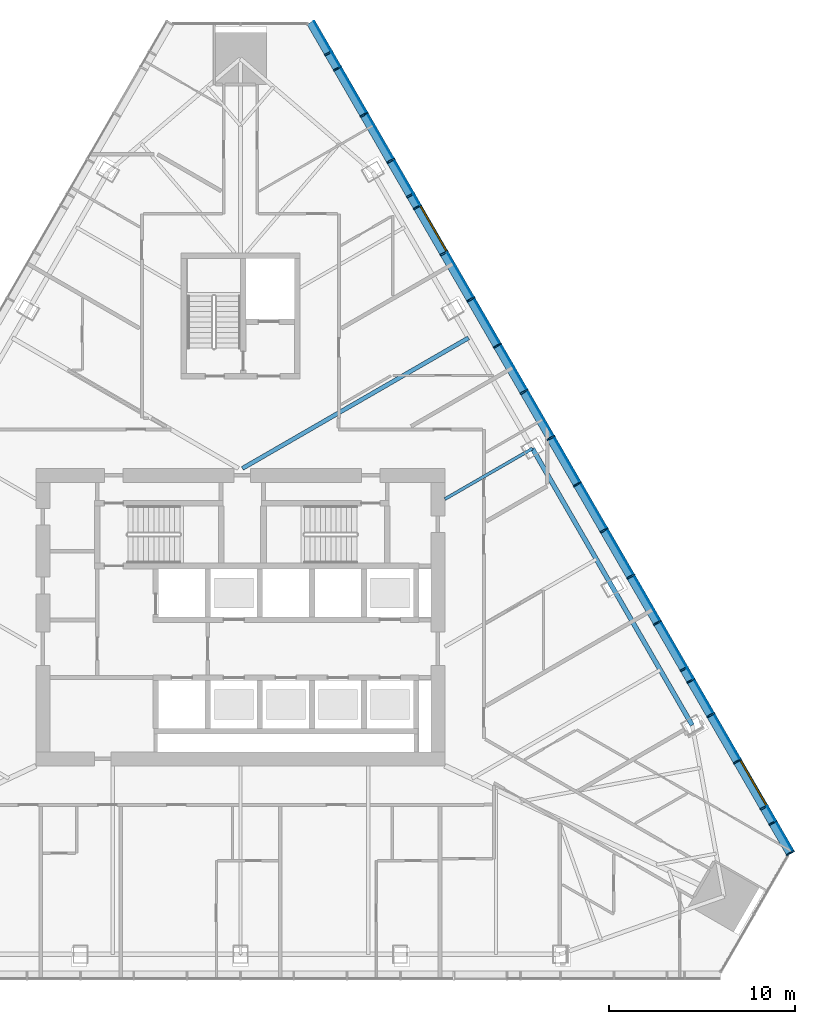
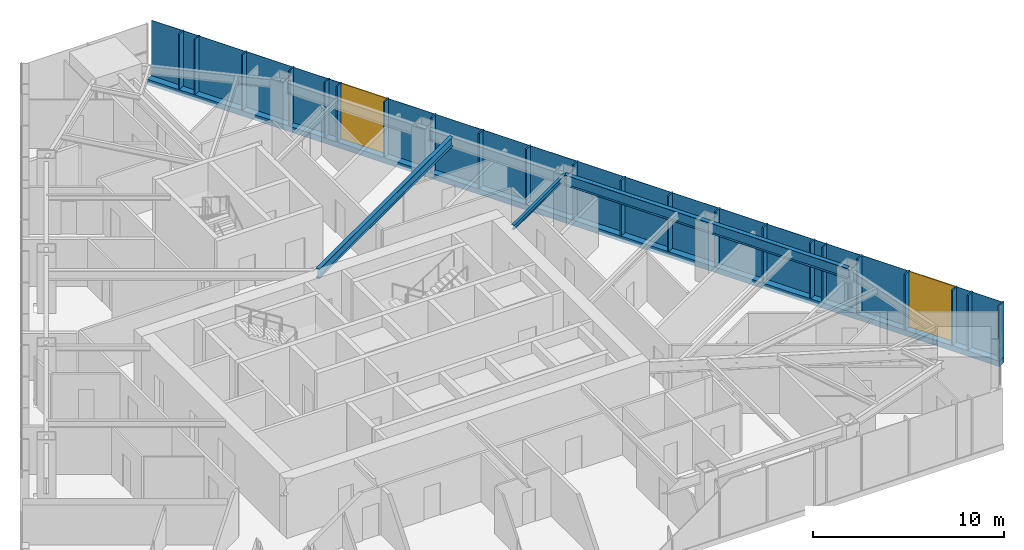
# One storey, part 6 of 16: 23 members, 20 plates, 3 beams, 2 windows, 2 openings, 1 element without a shape of its own.
"""IFC4 building model written with IfcOpenShell, lengths in metres."""

from ifc_helpers import new_model, si_unit, direction, frame, frame_2d, origin, origin_2d, place, context, subcontext, project, spatial, polyline, rectangle, i_section, outline, extrude, material, layer, layer_set, material_profile, profile_set, type_object, element, fill, aggregate, save


model = new_model("IFC4")

# Units and contexts
model_context = context("Model", 3, precision=1e-05, world=origin(), true_north=direction((0.0, 1.0)))
body_context = subcontext(model_context, "Body", "Model", "MODEL_VIEW")
ifc_project = project(units=[si_unit("LENGTHUNIT", "METRE"), si_unit("AREAUNIT", "SQUARE_METRE"), si_unit("VOLUMEUNIT", "CUBIC_METRE"), si_unit("PLANEANGLEUNIT", "RADIAN"), si_unit("MASSUNIT", "GRAM", prefix="KILO")], contexts=[model_context])

# Site, building, storey
site_placement = place(None, origin())
site = spatial("IfcSite", under=ifc_project, at=site_placement, CompositionType="ELEMENT")
building_placement = place(site_placement, origin())
building = spatial("IfcBuilding", under=site, at=building_placement, Name="Firuza Gate Tower and Library", CompositionType="ELEMENT")
storey_placement = place(building_placement, frame((0.0, 0.0, 198.699951171875)))
storey = spatial("IfcBuildingStorey", under=building, at=storey_placement, Name="L46", CompositionType="ELEMENT", Elevation=198.699951171875)

# Curtain wall, openings, members
ifc_material_1 = material(Name="Aluminium 6063-T6", Category="aluminium")
ifc_layer_1 = layer(ifc_material_1, 0.14990234375)
ifc_layer_set_1 = layer_set([ifc_layer_1], Name="Unitised curtain wall, hotel")
curtain_wall_type = type_object("IfcCurtainWallType", Name="Unitised curtain wall, hotel", PredefinedType="NOTDEFINED", material=ifc_layer_set_1)
curtain_wall_placement = place(storey_placement, origin())
curtain_wall = element("IfcCurtainWall", 1, at=curtain_wall_placement, inside=storey, type_object=curtain_wall_type, Name="CW2 L46 E face", PredefinedType="NOTDEFINED")
opening_1_placement = place(curtain_wall_placement, frame((103.298828125, 64.878173828125, 0.150146484375), z_axis=(0.0, 0.0, 1.0), x_axis=(-0.5, 0.866025, 0.0)))
opening_1 = element("IfcOpeningElement", 2, at=opening_1_placement, cuts=curtain_wall, Name="Opening WD1-001", PredefinedType="OPENING", context=body_context, shape_type="SweptSolid", body=[
    extrude(rectangle(XDim=2.789306640625, YDim=3.550048828125, at=frame_2d((1.39453125, 1.77490234375))), frame((0.0, 0.0849609375, 0.0), z_axis=(0.0, -1.0, 0.0), x_axis=(1.0, 0.0, 0.0)), (0.0, 0.0, 1.0), 0.169921875),
])
opening_2_placement = place(curtain_wall_placement, frame((86.08251953125, 94.69775390625, 0.150146484375), z_axis=(0.0, 0.0, 1.0), x_axis=(-0.5, 0.866025, 0.0)))
opening_2 = element("IfcOpeningElement", 3, at=opening_2_placement, cuts=curtain_wall, Name="Opening WD1-002", PredefinedType="OPENING", context=body_context, shape_type="SweptSolid", body=[
    extrude(rectangle(XDim=2.789306640625, YDim=3.550048828125, at=frame_2d((1.39453125, 1.77490234375))), frame((0.0, 0.0849609375, 0.0), z_axis=(0.0, -1.0, 0.0), x_axis=(1.0, 0.0, 0.0)), (0.0, 0.0, 1.0), 0.169921875),
])
ifc_material_2 = material(Name="Aluminium 6063-T6", Category="aluminium")
ifc_material_profile_1 = material_profile(ifc_material_2, rectangle(XDim=0.47998046875, YDim=0.080078125, at=origin_2d()))
ifc_profile_set_1 = profile_set([ifc_material_profile_1], Name="Aluminium 6063-T6")
member_type_1 = type_object("IfcMemberType", Name="Curtain wall mullion 80x480", PredefinedType="MULLION", material=ifc_profile_set_1)
member_1_placement = place(storey_placement, frame((104.5908203125, 62.310791015625, 0.150146484375), z_axis=(0.0, 0.0, 1.0), x_axis=(-0.866025403784, -0.5, 0.0)))
member_1 = element("IfcMember", 4, at=member_1_placement, type_object=member_type_1, Name="Mullion", PredefinedType="MULLION", context=body_context, shape_type="SweptSolid", body=[
    extrude(rectangle(XDim=0.47998046875, YDim=0.080078125, at=origin_2d()), origin(), (0.0, 0.0, 1.0), 3.5498046875),
])
member_2_placement = place(storey_placement, frame((103.176025390625, 64.76123046875, 0.150146484375), z_axis=(0.0, 0.0, 1.0), x_axis=(-0.866025403784, -0.5, 0.0)))
member_2 = element("IfcMember", 5, at=member_2_placement, type_object=member_type_1, Name="Mullion", PredefinedType="MULLION", context=body_context, shape_type="SweptSolid", body=[
    extrude(rectangle(XDim=0.47998046875, YDim=0.080078125, at=origin_2d()), origin(), (0.0, 0.0, 1.0), 3.5498046875),
])
member_3_placement = place(storey_placement, frame((101.7412109375, 67.24609375, 0.150146484375), z_axis=(0.0, 0.0, 1.0), x_axis=(-0.866025403784, -0.5, 0.0)))
member_3 = element("IfcMember", 6, at=member_3_placement, type_object=member_type_1, Name="Mullion", PredefinedType="MULLION", context=body_context, shape_type="SweptSolid", body=[
    extrude(rectangle(XDim=0.47998046875, YDim=0.080078125, at=origin_2d()), origin(), (0.0, 0.0, 1.0), 3.5498046875),
])
member_4_placement = place(storey_placement, frame((100.306640625, 69.73095703125, 0.150146484375), z_axis=(0.0, 0.0, 1.0), x_axis=(-0.866025403784, -0.5, 0.0)))
member_4 = element("IfcMember", 7, at=member_4_placement, type_object=member_type_1, Name="Mullion", PredefinedType="MULLION", context=body_context, shape_type="SweptSolid", body=[
    extrude(rectangle(XDim=0.47998046875, YDim=0.080078125, at=origin_2d()), origin(), (0.0, 0.0, 1.0), 3.5498046875),
])
member_5_placement = place(storey_placement, frame((98.871826171875, 72.216064453125, 0.150146484375), z_axis=(0.0, 0.0, 1.0), x_axis=(-0.866025403784, -0.5, 0.0)))
member_5 = element("IfcMember", 8, at=member_5_placement, type_object=member_type_1, Name="Mullion", PredefinedType="MULLION", context=body_context, shape_type="SweptSolid", body=[
    extrude(rectangle(XDim=0.47998046875, YDim=0.080078125, at=origin_2d()), origin(), (0.0, 0.0, 1.0), 3.5498046875),
])
member_6_placement = place(storey_placement, frame((97.437255859375, 74.700927734375, 0.150146484375), z_axis=(0.0, 0.0, 1.0), x_axis=(-0.866025403784, -0.5, 0.0)))
member_6 = element("IfcMember", 9, at=member_6_placement, type_object=member_type_1, Name="Mullion", PredefinedType="MULLION", context=body_context, shape_type="SweptSolid", body=[
    extrude(rectangle(XDim=0.47998046875, YDim=0.080078125, at=origin_2d()), origin(), (0.0, 0.0, 1.0), 3.5498046875),
])
member_7_placement = place(storey_placement, frame((96.00244140625, 77.18603515625, 0.150146484375), z_axis=(0.0, 0.0, 1.0), x_axis=(-0.866025403784, -0.5, 0.0)))
member_7 = element("IfcMember", 10, at=member_7_placement, type_object=member_type_1, Name="Mullion", PredefinedType="MULLION", context=body_context, shape_type="SweptSolid", body=[
    extrude(rectangle(XDim=0.47998046875, YDim=0.080078125, at=origin_2d()), origin(), (0.0, 0.0, 1.0), 3.5498046875),
])
member_8_placement = place(storey_placement, frame((94.56787109375, 79.6708984375, 0.150146484375), z_axis=(0.0, 0.0, 1.0), x_axis=(-0.866025403784, -0.5, 0.0)))
member_8 = element("IfcMember", 11, at=member_8_placement, type_object=member_type_1, Name="Mullion", PredefinedType="MULLION", context=body_context, shape_type="SweptSolid", body=[
    extrude(rectangle(XDim=0.47998046875, YDim=0.080078125, at=origin_2d()), origin(), (0.0, 0.0, 1.0), 3.5498046875),
])
member_9_placement = place(storey_placement, frame((93.133056640625, 82.156005859375, 0.150146484375), z_axis=(0.0, 0.0, 1.0), x_axis=(-0.866025403784, -0.5, 0.0)))
member_9 = element("IfcMember", 12, at=member_9_placement, type_object=member_type_1, Name="Mullion", PredefinedType="MULLION", context=body_context, shape_type="SweptSolid", body=[
    extrude(rectangle(XDim=0.47998046875, YDim=0.080078125, at=origin_2d()), origin(), (0.0, 0.0, 1.0), 3.5498046875),
])
member_10_placement = place(storey_placement, frame((91.698486328125, 84.640869140625, 0.150146484375), z_axis=(0.0, 0.0, 1.0), x_axis=(-0.866025403784, -0.5, 0.0)))
member_10 = element("IfcMember", 13, at=member_10_placement, type_object=member_type_1, Name="Mullion", PredefinedType="MULLION", context=body_context, shape_type="SweptSolid", body=[
    extrude(rectangle(XDim=0.47998046875, YDim=0.080078125, at=origin_2d()), origin(), (0.0, 0.0, 1.0), 3.5498046875),
])
member_11_placement = place(storey_placement, frame((90.263671875, 87.125732421875, 0.150146484375), z_axis=(0.0, 0.0, 1.0), x_axis=(-0.866025403784, -0.5, 0.0)))
member_11 = element("IfcMember", 14, at=member_11_placement, type_object=member_type_1, Name="Mullion", PredefinedType="MULLION", context=body_context, shape_type="SweptSolid", body=[
    extrude(rectangle(XDim=0.47998046875, YDim=0.080078125, at=origin_2d()), origin(), (0.0, 0.0, 1.0), 3.5498046875),
])
member_12_placement = place(storey_placement, frame((88.8291015625, 89.61083984375, 0.150146484375), z_axis=(0.0, 0.0, 1.0), x_axis=(-0.866025403784, -0.5, 0.0)))
member_12 = element("IfcMember", 15, at=member_12_placement, type_object=member_type_1, Name="Mullion", PredefinedType="MULLION", context=body_context, shape_type="SweptSolid", body=[
    extrude(rectangle(XDim=0.47998046875, YDim=0.080078125, at=origin_2d()), origin(), (0.0, 0.0, 1.0), 3.5498046875),
])
member_13_placement = place(storey_placement, frame((87.394287109375, 92.095703125, 0.150146484375), z_axis=(0.0, 0.0, 1.0), x_axis=(-0.866025403784, -0.5, 0.0)))
member_13 = element("IfcMember", 16, at=member_13_placement, type_object=member_type_1, Name="Mullion", PredefinedType="MULLION", context=body_context, shape_type="SweptSolid", body=[
    extrude(rectangle(XDim=0.47998046875, YDim=0.080078125, at=origin_2d()), origin(), (0.0, 0.0, 1.0), 3.5498046875),
])
member_14_placement = place(storey_placement, frame((85.959716796875, 94.580810546875, 0.150146484375), z_axis=(0.0, 0.0, 1.0), x_axis=(-0.866025403784, -0.5, 0.0)))
member_14 = element("IfcMember", 17, at=member_14_placement, type_object=member_type_1, Name="Mullion", PredefinedType="MULLION", context=body_context, shape_type="SweptSolid", body=[
    extrude(rectangle(XDim=0.47998046875, YDim=0.080078125, at=origin_2d()), origin(), (0.0, 0.0, 1.0), 3.5498046875),
])
member_15_placement = place(storey_placement, frame((84.52490234375, 97.065673828125, 0.150146484375), z_axis=(0.0, 0.0, 1.0), x_axis=(-0.866025403784, -0.5, 0.0)))
member_15 = element("IfcMember", 18, at=member_15_placement, type_object=member_type_1, Name="Mullion", PredefinedType="MULLION", context=body_context, shape_type="SweptSolid", body=[
    extrude(rectangle(XDim=0.47998046875, YDim=0.080078125, at=origin_2d()), origin(), (0.0, 0.0, 1.0), 3.5498046875),
])
member_16_placement = place(storey_placement, frame((83.09033203125, 99.550537109375, 0.150146484375), z_axis=(0.0, 0.0, 1.0), x_axis=(-0.866025403784, -0.5, 0.0)))
member_16 = element("IfcMember", 19, at=member_16_placement, type_object=member_type_1, Name="Mullion", PredefinedType="MULLION", context=body_context, shape_type="SweptSolid", body=[
    extrude(rectangle(XDim=0.47998046875, YDim=0.080078125, at=origin_2d()), origin(), (0.0, 0.0, 1.0), 3.5498046875),
])
member_17_placement = place(storey_placement, frame((81.655517578125, 102.03564453125, 0.150146484375), z_axis=(0.0, 0.0, 1.0), x_axis=(-0.866025403784, -0.5, 0.0)))
member_17 = element("IfcMember", 20, at=member_17_placement, type_object=member_type_1, Name="Mullion", PredefinedType="MULLION", context=body_context, shape_type="SweptSolid", body=[
    extrude(rectangle(XDim=0.47998046875, YDim=0.080078125, at=origin_2d()), origin(), (0.0, 0.0, 1.0), 3.5498046875),
])
member_18_placement = place(storey_placement, frame((80.220947265625, 104.5205078125, 0.150146484375), z_axis=(0.0, 0.0, 1.0), x_axis=(-0.866025403784, -0.5, 0.0)))
member_18 = element("IfcMember", 21, at=member_18_placement, type_object=member_type_1, Name="Mullion", PredefinedType="MULLION", context=body_context, shape_type="SweptSolid", body=[
    extrude(rectangle(XDim=0.47998046875, YDim=0.080078125, at=origin_2d()), origin(), (0.0, 0.0, 1.0), 3.5498046875),
])
member_19_placement = place(storey_placement, frame((103.650146484375, 63.93994140625, 0.150146484375), z_axis=(0.0, 0.0, 1.0), x_axis=(-0.866025403784, -0.5, 0.0)))
member_19 = element("IfcMember", 22, at=member_19_placement, type_object=member_type_1, Name="Mullion", PredefinedType="MULLION", context=body_context, shape_type="SweptSolid", body=[
    extrude(rectangle(XDim=0.47998046875, YDim=0.080078125, at=origin_2d()), origin(), (0.0, 0.0, 1.0), 3.5498046875),
])
member_20_placement = place(storey_placement, frame((99.23828125, 71.58154296875, 0.150146484375), z_axis=(0.0, 0.0, 1.0), x_axis=(-0.866025403784, -0.5, 0.0)))
member_20 = element("IfcMember", 23, at=member_20_placement, type_object=member_type_1, Name="Mullion", PredefinedType="MULLION", context=body_context, shape_type="SweptSolid", body=[
    extrude(rectangle(XDim=0.47998046875, YDim=0.080078125, at=origin_2d()), origin(), (0.0, 0.0, 1.0), 3.5498046875),
])
member_21_placement = place(storey_placement, frame((84.15869140625, 97.699951171875, 0.150146484375), z_axis=(0.0, 0.0, 1.0), x_axis=(-0.866025403784, -0.5, 0.0)))
member_21 = element("IfcMember", 24, at=member_21_placement, type_object=member_type_1, Name="Mullion", PredefinedType="MULLION", context=body_context, shape_type="SweptSolid", body=[
    extrude(rectangle(XDim=0.47998046875, YDim=0.080078125, at=origin_2d()), origin(), (0.0, 0.0, 1.0), 3.5498046875),
])
member_22_placement = place(storey_placement, frame((79.746826171875, 105.341796875, 0.150146484375), z_axis=(0.0, 0.0, 1.0), x_axis=(-0.866025403784, -0.5, 0.0)))
member_22 = element("IfcMember", 25, at=member_22_placement, type_object=member_type_1, Name="Mullion", PredefinedType="MULLION", context=body_context, shape_type="SweptSolid", body=[
    extrude(rectangle(XDim=0.47998046875, YDim=0.080078125, at=origin_2d()), origin(), (0.0, 0.0, 1.0), 3.5498046875),
])
ifc_material_3 = material(Name="Aluminium 6063-T6", Category="aluminium")
ifc_material_profile_2 = material_profile(ifc_material_3, rectangle(XDim=0.47998046875, YDim=0.35009765625, at=origin_2d()))
ifc_profile_set_2 = profile_set([ifc_material_profile_2], Name="Aluminium 6063-T6")
member_type_2 = type_object("IfcMemberType", Name="Curtain wall transom 350x480", PredefinedType="USERDEFINED", material=ifc_profile_set_2)
member_23_placement = place(storey_placement, frame((104.610595703125, 62.276123046875, -0.02490234375), z_axis=(-0.499998236205, 0.86602642211, 0.0), x_axis=(-0.86602642211, -0.499998236205, 0.0)))
member_23 = element("IfcMember", 26, at=member_23_placement, type_object=member_type_2, Name="Transom", ObjectType="TRANSOM", PredefinedType="USERDEFINED", context=body_context, shape_type="SweptSolid", body=[
    extrude(rectangle(XDim=0.47998046875, YDim=0.35009765625, at=origin_2d()), origin(), (0.0, 0.0, 1.0), 51.649169921875),
])

# Beams
ifc_material_4 = material(Name="Steel S355", Category="steel")
ifc_material_profile_3 = material_profile(ifc_material_4, i_section(OverallWidth=0.1650390625, OverallDepth=0.31005859375, WebThickness=0.005859375, FlangeThickness=0.009765625, at=origin_2d()))
ifc_profile_set_3 = profile_set([ifc_material_profile_3], Name="Steel S355")
beam_type_1 = type_object("IfcBeamType", Name="W310x39 Floor beam", PredefinedType="JOIST", material=ifc_profile_set_3)
beam_1_placement = place(storey_placement, frame((90.711181640625, 84.07080078125, 3.545166015625), z_axis=(-0.866027894023, -0.499995686755, 0.0), x_axis=(0.499995686755, -0.866027894023, 0.0)))
element("IfcBeam", 27, at=beam_1_placement, inside=storey, type_object=beam_type_1, Name="Floor beam L46 s52", PredefinedType="JOIST", context=body_context, shape_type="SweptSolid", body=[
    extrude(i_section(OverallWidth=0.1650390625, OverallDepth=0.31005859375, WebThickness=0.005859375, FlangeThickness=0.009765625, at=origin_2d()), origin(), (0.0, 0.0, 1.0), 5.43994140625),
])
ifc_material_5 = material(Name="Steel S355", Category="steel")
ifc_material_profile_4 = material_profile(ifc_material_5, i_section(OverallWidth=0.22802734375, OverallDepth=0.60302734375, WebThickness=0.010498046875, FlangeThickness=0.014892578125, at=origin_2d()))
ifc_profile_set_4 = profile_set([ifc_material_profile_4], Name="Steel S355")
beam_type_2 = type_object("IfcBeamType", Name="W610x101 Floor beam", PredefinedType="JOIST", material=ifc_profile_set_4)
beam_2_placement = place(storey_placement, frame((87.273681640625, 90.024658203125, 3.3984375), z_axis=(-0.866028453965, -0.499994716896, 0.0), x_axis=(0.499994716896, -0.866028453965, 0.0)))
element("IfcBeam", 28, at=beam_2_placement, inside=storey, type_object=beam_type_2, Name="Floor beam L46 s53", PredefinedType="JOIST", context=body_context, shape_type="SweptSolid", body=[
    extrude(i_section(OverallWidth=0.22802734375, OverallDepth=0.60302734375, WebThickness=0.010498046875, FlangeThickness=0.014892578125, at=origin_2d()), origin(), (0.0, 0.0, 1.0), 14.049560546875),
])
ifc_material_6 = material(Name="Steel S355", Category="steel")
ifc_material_profile_5 = material_profile(ifc_material_6, i_section(OverallWidth=0.2529296875, OverallDepth=0.677978515625, WebThickness=0.01171875, FlangeThickness=0.016357421875, at=origin_2d()))
ifc_profile_set_5 = profile_set([ifc_material_profile_5], Name="Steel S355")
beam_type_3 = type_object("IfcBeamType", Name="W690x125 Edge beam", PredefinedType="SPANDREL", material=ifc_profile_set_5)
beam_3_placement = place(storey_placement, frame((99.304931640625, 69.18603515625, 3.361083984375), z_axis=(-0.500001158966, 0.866024734654, 0.0), x_axis=(-0.866024734654, -0.500001158966, 0.0)))
element("IfcBeam", 29, at=beam_3_placement, inside=storey, type_object=beam_type_3, Name="Edge beam L46 e50", PredefinedType="SPANDREL", context=body_context, shape_type="SweptSolid", body=[
    extrude(i_section(OverallWidth=0.2529296875, OverallDepth=0.677978515625, WebThickness=0.01171875, FlangeThickness=0.016357421875, at=origin_2d()), origin(), (0.0, 0.0, 1.0), 17.1875),
])

# Plate
ifc_material_7 = material(Name="Fritted glass", Category="glass")
ifc_layer_2 = layer(ifc_material_7, 0.030029296875)
ifc_layer_set_2 = layer_set([ifc_layer_2], Name="Fritted glass unit, hotel")
plate_type_1 = type_object("IfcPlateType", Name="Fritted glass unit, hotel", PredefinedType="CURTAIN_PANEL", material=ifc_layer_set_2)
plate_1_placement = place(storey_placement, frame((103.785888671875, 64.064697265625, 0.150146484375), z_axis=(0.865984173366, 0.50007140638, 0.0), x_axis=(-0.50007140638, 0.865984173366, 0.0)))
plate_1 = element("IfcPlate", 30, at=plate_1_placement, type_object=plate_type_1, Name="Glass unit", PredefinedType="CURTAIN_PANEL", context=body_context, shape_type="SweptSolid", body=[
    extrude(outline(polyline([(0.0, 0.0), (0.8680400952975732, 0.0), (0.8680400952975732, 3.5498046875), (0.0, 3.5498046875), (0.0, 0.0)])), origin(), (0.0, 0.0, -1.0), 0.030029296875),
])

plate_2_placement = place(storey_placement, frame((99.3740234375, 71.706298828125, 0.150146484375), z_axis=(0.866117063051, 0.499841207877, 0.0), x_axis=(-0.499841207877, 0.866117063051, 0.0)))
plate_2 = element("IfcPlate", 31, at=plate_2_placement, type_object=plate_type_1, Name="Glass unit", PredefinedType="CURTAIN_PANEL", context=body_context, shape_type="SweptSolid", body=[
    extrude(outline(polyline([(0.0, 0.0), (0.6525509899137449, 0.0), (0.6525509899137449, 3.549804687500001), (0.0, 3.549804687500001), (0.0, 0.0)])), origin(), (0.0, 0.0, -1.0), 0.030029296875),
])

plate_3_placement = place(storey_placement, frame((99.0078125, 72.340576171875, 0.150146484375), z_axis=(0.866020890646, 0.500007816904, 0.0), x_axis=(-0.500007816904, 0.866020890646, 0.0)))
plate_3 = element("IfcPlate", 32, at=plate_3_placement, type_object=plate_type_1, Name="Glass unit", PredefinedType="CURTAIN_PANEL", context=body_context, shape_type="SweptSolid", body=[
    extrude(outline(polyline([(0.0, 0.0), (2.789507170632926, 0.0), (2.789507170632926, 3.5498046875), (0.0, 3.5498046875), (0.0, 0.0)])), origin(), (0.0, 0.0, -1.0), 0.030029296875),
])

plate_4_placement = place(storey_placement, frame((94.70361328125, 79.795654296875, 0.150146484375), z_axis=(0.866036909293, 0.499980071345, 0.0), x_axis=(-0.499980071345, 0.866036909293, 0.0)))
plate_4 = element("IfcPlate", 33, at=plate_4_placement, type_object=plate_type_1, Name="Glass unit", PredefinedType="CURTAIN_PANEL", context=body_context, shape_type="SweptSolid", body=[
    extrude(outline(polyline([(0.0, 0.0), (2.789173668961919, 0.0), (2.789173668961919, 3.5498046875), (0.0, 3.5498046875), (0.0, 0.0)])), origin(), (0.0, 0.0, -1.0), 0.030029296875),
])

plate_5_placement = place(storey_placement, frame((90.399658203125, 87.25048828125, 0.150146484375), z_axis=(0.866020890646, 0.500007816904, 0.0), x_axis=(-0.500007816904, 0.866020890646, 0.0)))
plate_5 = element("IfcPlate", 34, at=plate_5_placement, type_object=plate_type_1, Name="Glass unit", PredefinedType="CURTAIN_PANEL", context=body_context, shape_type="SweptSolid", body=[
    extrude(outline(polyline([(0.0, 0.0), (2.789507170632926, 0.0), (2.789507170632926, 3.5498046875), (0.0, 3.5498046875), (0.0, 0.0)])), origin(), (0.0, 0.0, -1.0), 0.030029296875),
])

plate_6_placement = place(storey_placement, frame((84.660888671875, 97.1904296875, 0.150146484375), z_axis=(0.865861471304, 0.500283831951, 0.0), x_axis=(-0.500283831951, 0.865861471304, 0.0)))
plate_6 = element("IfcPlate", 35, at=plate_6_placement, type_object=plate_type_1, Name="Glass unit", PredefinedType="CURTAIN_PANEL", context=body_context, shape_type="SweptSolid", body=[
    extrude(outline(polyline([(0.0, 0.0), (0.652461652323129, 0.0), (0.652461652323129, 3.5498046875), (0.0, 3.5498046875), (0.0, 0.0)])), origin(), (0.0, 0.0, -1.0), 0.030029296875),
])

plate_7_placement = place(storey_placement, frame((81.79150390625, 102.16015625, 0.150146484375), z_axis=(0.866020890646, 0.500007816904, 0.0), x_axis=(-0.500007816904, 0.866020890646, 0.0)))
plate_7 = element("IfcPlate", 36, at=plate_7_placement, type_object=plate_type_1, Name="Glass unit", PredefinedType="CURTAIN_PANEL", context=body_context, shape_type="SweptSolid", body=[
    extrude(outline(polyline([(0.0, 0.0), (2.789507170632926, 0.0), (2.789507170632926, 3.5498046875), (0.0, 3.5498046875), (0.0, 0.0)])), origin(), (0.0, 0.0, -1.0), 0.030029296875),
])

plate_8_placement = place(storey_placement, frame((80.356689453125, 104.645263671875, 0.150146484375), z_axis=(0.866054481515, 0.499949632511, 0.0), x_axis=(-0.499949632511, 0.866054481515, 0.0)))
plate_8 = element("IfcPlate", 37, at=plate_8_placement, type_object=plate_type_1, Name="Glass unit", PredefinedType="CURTAIN_PANEL", context=body_context, shape_type="SweptSolid", body=[
    extrude(outline(polyline([(0.0, 0.0), (0.8682515257984816, 0.0), (0.8682515257984816, 3.5498046875), (0.0, 3.5498046875), (0.0, 0.0)])), origin(), (0.0, 0.0, -1.0), 0.030029296875),
])

ifc_material_8 = material(Name="Glazed ceramic tile")
ifc_layer_3 = layer(ifc_material_8, 0.030029296875)
ifc_layer_set_3 = layer_set([ifc_layer_3], Name="Opaque ceramic panel, hotel")
plate_type_2 = type_object("IfcPlateType", Name="Opaque ceramic panel, hotel", PredefinedType="CURTAIN_PANEL", material=ifc_layer_set_3)
plate_9_placement = place(storey_placement, frame((104.74658203125, 62.40087890625, 0.150146484375), z_axis=(0.866006720078, 0.500032359733, 0.0), x_axis=(-0.500032359733, 0.866006720078, 0.0)))
plate_9 = element("IfcPlate", 38, at=plate_9_placement, type_object=plate_type_2, Name="Opaque ceramic panel", PredefinedType="CURTAIN_PANEL", context=body_context, shape_type="SweptSolid", body=[
    extrude(outline(polyline([(0.0, 0.0), (1.8411894329543514, 0.0), (1.8411894329543514, 3.5498046875), (0.0, 3.5498046875), (0.0, 0.0)])), origin(), (0.0, 0.0, -1.0), 0.030029296875),
])

plate_10_placement = place(storey_placement, frame((101.877197265625, 67.370849609375, 0.150146484375), z_axis=(0.865999007209, 0.500045717423, 0.0), x_axis=(-0.500045717423, 0.865999007209, 0.0)))
plate_10 = element("IfcPlate", 39, at=plate_10_placement, type_object=plate_type_2, Name="Opaque ceramic panel", PredefinedType="CURTAIN_PANEL", context=body_context, shape_type="SweptSolid", body=[
    extrude(outline(polyline([(0.0, 0.0), (2.7892957424226377, 0.0), (2.7892957424226377, 3.5498046875), (0.0, 3.5498046875), (0.0, 0.0)])), origin(), (0.0, 0.0, -1.0), 0.030029296875),
])

plate_11_placement = place(storey_placement, frame((100.442626953125, 69.855712890625, 0.150146484375), z_axis=(0.865991869213, 0.500058079084, 0.0), x_axis=(-0.500058079084, 0.865991869213, 0.0)))
plate_11 = element("IfcPlate", 40, at=plate_11_placement, type_object=plate_type_2, Name="Opaque ceramic panel", PredefinedType="CURTAIN_PANEL", context=body_context, shape_type="SweptSolid", body=[
    extrude(outline(polyline([(0.0, 0.0), (2.0568899816792174, 0.0), (2.0568899816792174, 3.5498046875), (0.0, 3.5498046875), (0.0, 0.0)])), origin(), (0.0, 0.0, -1.0), 0.030029296875),
])

plate_12_placement = place(storey_placement, frame((97.572998046875, 74.82568359375, 0.150146484375), z_axis=(0.866036909293, 0.499980071345, 0.0), x_axis=(-0.499980071345, 0.866036909293, 0.0)))
plate_12 = element("IfcPlate", 41, at=plate_12_placement, type_object=plate_type_2, Name="Opaque ceramic panel", PredefinedType="CURTAIN_PANEL", context=body_context, shape_type="SweptSolid", body=[
    extrude(outline(polyline([(0.0, 0.0), (2.789173668961919, 0.0), (2.789173668961919, 3.5498046875), (0.0, 3.5498046875), (0.0, 0.0)])), origin(), (0.0, 0.0, -1.0), 0.030029296875),
])

plate_13_placement = place(storey_placement, frame((96.138427734375, 77.310546875, 0.150146484375), z_axis=(0.866020890646, 0.500007816904, 0.0), x_axis=(-0.500007816904, 0.866020890646, 0.0)))
plate_13 = element("IfcPlate", 42, at=plate_13_placement, type_object=plate_type_2, Name="Opaque ceramic panel", PredefinedType="CURTAIN_PANEL", context=body_context, shape_type="SweptSolid", body=[
    extrude(outline(polyline([(0.0, 0.0), (2.789507170632926, 0.0), (2.789507170632926, 3.5498046875), (0.0, 3.5498046875), (0.0, 0.0)])), origin(), (0.0, 0.0, -1.0), 0.030029296875),
])

plate_14_placement = place(storey_placement, frame((93.26904296875, 82.280517578125, 0.150146484375), z_axis=(0.866020890646, 0.500007816904, 0.0), x_axis=(-0.500007816904, 0.866020890646, 0.0)))
plate_14 = element("IfcPlate", 43, at=plate_14_placement, type_object=plate_type_2, Name="Opaque ceramic panel", PredefinedType="CURTAIN_PANEL", context=body_context, shape_type="SweptSolid", body=[
    extrude(outline(polyline([(0.0, 0.0), (2.789507170632926, 0.0), (2.789507170632926, 3.5498046875), (0.0, 3.5498046875), (0.0, 0.0)])), origin(), (0.0, 0.0, -1.0), 0.030029296875),
])

plate_15_placement = place(storey_placement, frame((91.834228515625, 84.765380859375, 0.150146484375), z_axis=(0.866058787942, 0.499942172484, 0.0), x_axis=(-0.499942172484, 0.866058787942, 0.0)))
plate_15 = element("IfcPlate", 44, at=plate_15_placement, type_object=plate_type_2, Name="Opaque ceramic panel", PredefinedType="CURTAIN_PANEL", context=body_context, shape_type="SweptSolid", body=[
    extrude(outline(polyline([(0.0, 0.0), (2.789385106425062, 0.0), (2.789385106425062, 3.5498046875), (0.0, 3.5498046875), (0.0, 0.0)])), origin(), (0.0, 0.0, -1.0), 0.030029296875),
])

plate_16_placement = place(storey_placement, frame((88.96484375, 89.7353515625, 0.150146484375), z_axis=(0.866058787942, 0.499942172484, 0.0), x_axis=(-0.499942172484, 0.866058787942, 0.0)))
plate_16 = element("IfcPlate", 45, at=plate_16_placement, type_object=plate_type_2, Name="Opaque ceramic panel", PredefinedType="CURTAIN_PANEL", context=body_context, shape_type="SweptSolid", body=[
    extrude(outline(polyline([(0.0, 0.0), (2.789385106425062, 0.0), (2.789385106425062, 3.5498046875), (0.0, 3.5498046875), (0.0, 0.0)])), origin(), (0.0, 0.0, -1.0), 0.030029296875),
])

plate_17_placement = place(storey_placement, frame((87.5302734375, 92.220458984375, 0.150146484375), z_axis=(0.865999007209, 0.500045717423, 0.0), x_axis=(-0.500045717423, 0.865999007209, 0.0)))
plate_17 = element("IfcPlate", 46, at=plate_17_placement, type_object=plate_type_2, Name="Opaque ceramic panel", PredefinedType="CURTAIN_PANEL", context=body_context, shape_type="SweptSolid", body=[
    extrude(outline(polyline([(0.0, 0.0), (2.7892957424226377, 0.0), (2.7892957424226377, 3.5498046875), (0.0, 3.5498046875), (0.0, 0.0)])), origin(), (0.0, 0.0, -1.0), 0.030029296875),
])

plate_18_placement = place(storey_placement, frame((84.294677734375, 97.82470703125, 0.150146484375), z_axis=(0.865991869213, 0.500058079084, 0.0), x_axis=(-0.500058079084, 0.865991869213, 0.0)))
plate_18 = element("IfcPlate", 47, at=plate_18_placement, type_object=plate_type_2, Name="Opaque ceramic panel", PredefinedType="CURTAIN_PANEL", context=body_context, shape_type="SweptSolid", body=[
    extrude(outline(polyline([(0.0, 0.0), (2.0568899816792174, 0.0), (2.0568899816792174, 3.5498046875), (0.0, 3.5498046875), (0.0, 0.0)])), origin(), (0.0, 0.0, -1.0), 0.030029296875),
])

plate_19_placement = place(storey_placement, frame((83.22607421875, 99.67529296875, 0.150146484375), z_axis=(0.866058787942, 0.499942172484, 0.0), x_axis=(-0.499942172484, 0.866058787942, 0.0)))
plate_19 = element("IfcPlate", 48, at=plate_19_placement, type_object=plate_type_2, Name="Opaque ceramic panel", PredefinedType="CURTAIN_PANEL", context=body_context, shape_type="SweptSolid", body=[
    extrude(outline(polyline([(0.0, 0.0), (2.789385106425062, 0.0), (2.789385106425062, 3.5498046875), (0.0, 3.5498046875), (0.0, 0.0)])), origin(), (0.0, 0.0, -1.0), 0.030029296875),
])

plate_20_placement = place(storey_placement, frame((79.882568359375, 105.46630859375, 0.150146484375), z_axis=(0.866064137879, 0.499932904579, 0.0), x_axis=(-0.499932904579, 0.866064137879, 0.0)))
plate_20 = element("IfcPlate", 49, at=plate_20_placement, type_object=plate_type_2, Name="Opaque ceramic panel", PredefinedType="CURTAIN_PANEL", context=body_context, shape_type="SweptSolid", body=[
    extrude(outline(polyline([(0.0, 0.0), (1.8410673668816455, 0.0), (1.8410673668816455, 3.5498046875), (0.0, 3.5498046875), (0.0, 0.0)])), origin(), (0.0, 0.0, -1.0), 0.030029296875),
])

aggregate(curtain_wall, [member_1, member_2, member_3, member_4, member_5, member_6, member_7, member_8, member_9, member_10, member_11, member_12, member_13, member_14, member_15, member_16, member_17, member_18, member_23, plate_9, plate_1, member_19, plate_10, plate_11, plate_2, member_20, plate_3, plate_12, plate_13, plate_4, plate_14, plate_15, plate_5, plate_16, plate_17, plate_6, plate_18, member_21, plate_19, plate_7, plate_8, plate_20, member_22])

# Window
ifc_material_9 = material(Name="Aluminium 6063-T6 and glass", Category="aluminium")
ifc_layer_4 = layer(ifc_material_9, 0.030029296875)
ifc_layer_set_4 = layer_set([ifc_layer_4], Name="Operable glazed unit")
window_type = type_object("IfcWindowType", Name="Operable glazed unit", PartitioningType="SINGLE_PANEL", PredefinedType="WINDOW", material=ifc_layer_set_4)
window_1_placement = place(opening_1_placement, origin())
window_1 = element("IfcWindow", 50, at=window_1_placement, inside=storey, type_object=window_type, Name="Operable glazed unit", OverallHeight=3.550048828125, OverallWidth=2.789306640625, PartitioningType="SINGLE_PANEL", PredefinedType="WINDOW", context=body_context, shape_type="SweptSolid", body=[
    extrude(rectangle(XDim=2.789306640625, YDim=3.550048828125, at=frame_2d((1.39453125, 1.77490234375))), frame((0.0, 0.030029296875, 0.0), z_axis=(0.0, -1.0, 0.0), x_axis=(1.0, 0.0, 0.0)), (0.0, 0.0, 1.0), 0.06005859375),
])

fill(opening_1, window_1)

window_2_placement = place(opening_2_placement, origin())
window_2 = element("IfcWindow", 51, at=window_2_placement, inside=storey, type_object=window_type, Name="Operable glazed unit", OverallHeight=3.550048828125, OverallWidth=2.789306640625, PartitioningType="SINGLE_PANEL", PredefinedType="WINDOW", context=body_context, shape_type="SweptSolid", body=[
    extrude(rectangle(XDim=2.789306640625, YDim=3.550048828125, at=frame_2d((1.39453125, 1.77490234375))), frame((0.0, 0.030029296875, 0.0), z_axis=(0.0, -1.0, 0.0), x_axis=(1.0, 0.0, 0.0)), (0.0, 0.0, 1.0), 0.06005859375),
])

fill(opening_2, window_2)

save(model, "model.ifc")
